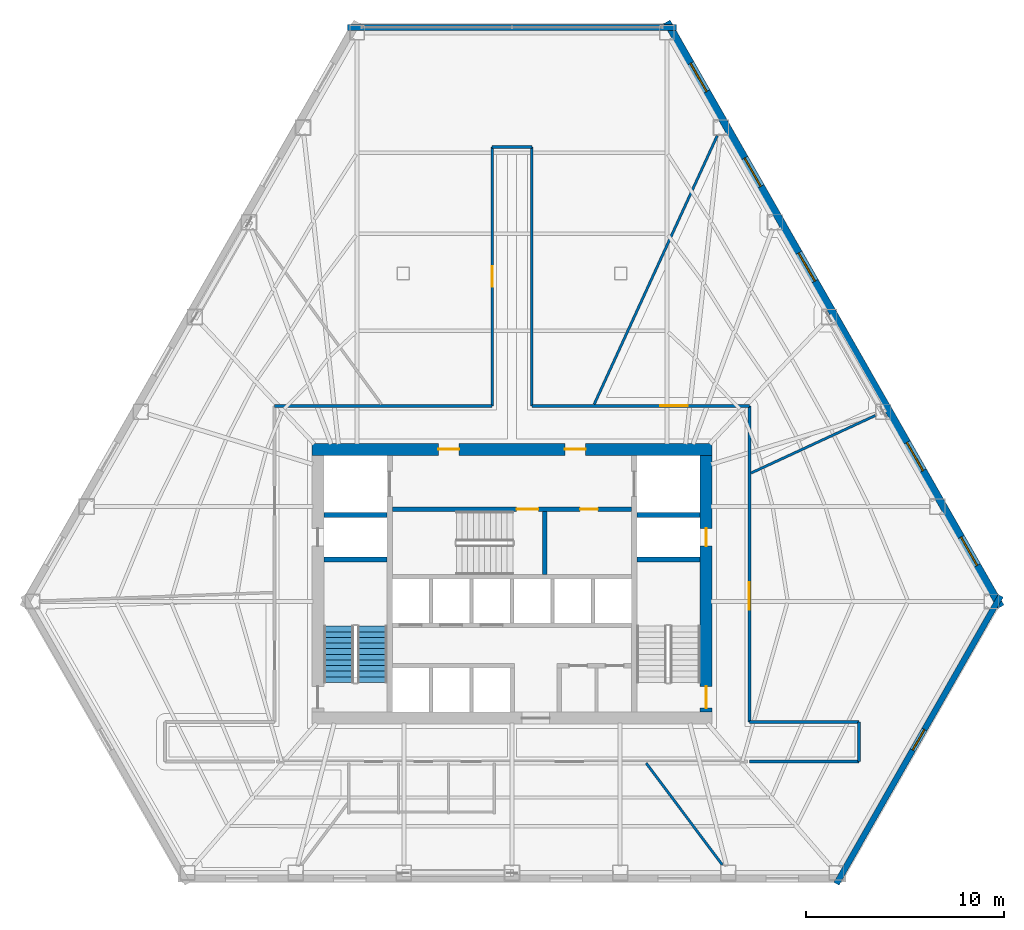
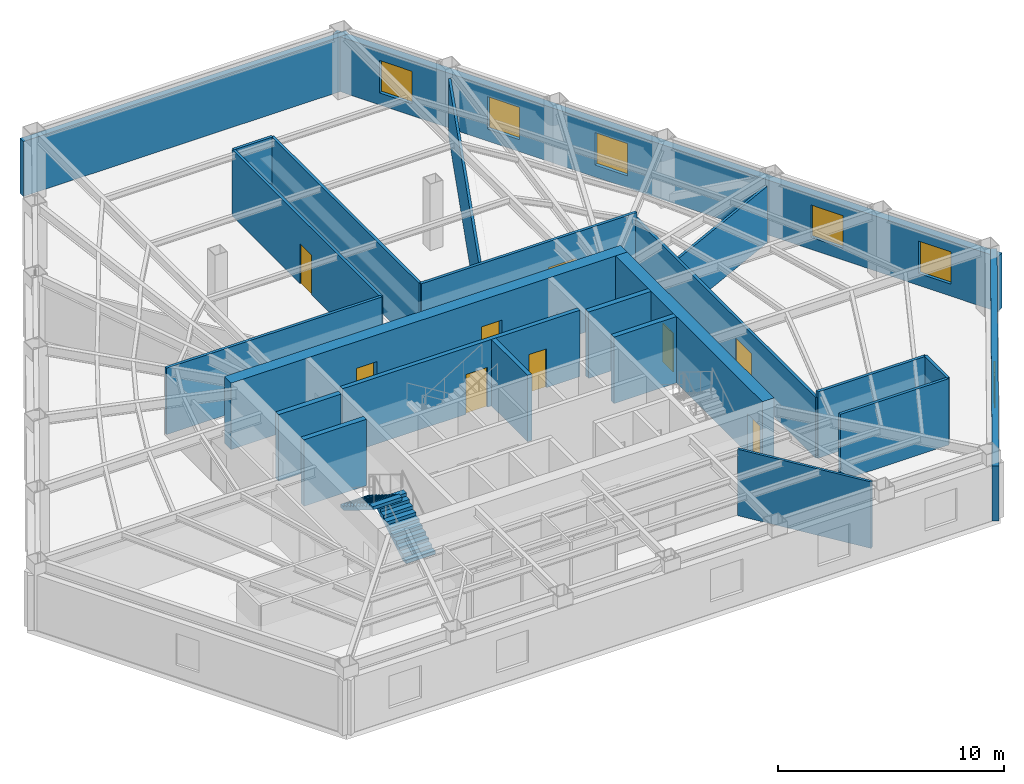
# One storey, part 8 of 12: 23 walls, 9 doors, 6 windows, 2 stair flights, 15 openings, 1 element without a shape of its own.
"""IFC4 building model written with IfcOpenShell, lengths in metres."""

from ifc_helpers import new_model, si_unit, direction, frame, frame_2d, origin, place, context, subcontext, project, spatial, polyline, rectangle, outline, extrude, material, layer, layer_set, type_object, element, fill, aggregate, save


model = new_model("IFC4")

# Units and contexts
model_context = context("Model", 3, precision=1e-05, world=origin(), true_north=direction((0.0, 1.0)))
body_context = subcontext(model_context, "Body", "Model", "MODEL_VIEW")
ifc_project = project(units=[si_unit("LENGTHUNIT", "METRE"), si_unit("AREAUNIT", "SQUARE_METRE"), si_unit("VOLUMEUNIT", "CUBIC_METRE"), si_unit("PLANEANGLEUNIT", "RADIAN"), si_unit("MASSUNIT", "GRAM", prefix="KILO")], contexts=[model_context])

# Site, building, storey
site_placement = place(None, origin())
site = spatial("IfcSite", under=ifc_project, at=site_placement, CompositionType="ELEMENT")
building_placement = place(site_placement, origin())
building = spatial("IfcBuilding", under=site, at=building_placement, Name="Kavelnor Concourse Tower", CompositionType="ELEMENT")
storey_placement = place(building_placement, frame((0.0, 0.0, 21.39990234375)))
storey = spatial("IfcBuildingStorey", under=building, at=storey_placement, Name="L05", CompositionType="ELEMENT", Elevation=21.39990234375)

# Wall, openings, doors
ifc_material_1 = material(Name="Concrete C60/75", Category="concrete")
ifc_layer_1 = layer(ifc_material_1, 0.60009765625, Name="Concrete C60/75")
ifc_layer_set_1 = layer_set([ifc_layer_1], Name="Concrete C60/75")
wall_type_1 = type_object("IfcWallType", Name="WL-CORE-Z1-600", PredefinedType="SOLIDWALL", material=ifc_layer_set_1)
wall_1_placement = place(storey_placement, frame((27.8798828125, 22.89990234375, 0.0), z_axis=(0.0, 0.0, 1.0), x_axis=(1.0, 0.0, 0.0)))
wall_1 = element("IfcWall", 1, at=wall_1_placement, inside=storey, type_object=wall_type_1, Name="L05 Central Core North Shear Wall", PredefinedType="SOLIDWALL", context=body_context, shape_type="SweptSolid", body=[
    extrude(rectangle(XDim=20.240234375, YDim=0.60009765625, at=frame_2d((10.1201171875, 0.0))), origin(), (0.0, 0.0, 1.0), 3.590087890625),
])
opening_1_placement = place(wall_1_placement, frame((6.39501953125, 0.0, 0.0)))
opening_1 = element("IfcOpeningElement", 2, at=opening_1_placement, cuts=wall_1, Name="Opening FD-105", PredefinedType="OPENING", context=body_context, shape_type="SweptSolid", body=[
    extrude(rectangle(XDim=1.050048828125, YDim=2.14990234375, at=frame_2d((0.52490234375, 1.074951171875))), frame((0.0, 0.31005859375, 0.0), z_axis=(0.0, -1.0, 0.0), x_axis=(1.0, 0.0, 0.0)), (0.0, 0.0, 1.0), 0.6201171875),
])
opening_2_placement = place(wall_1_placement, frame((12.794921875, 0.0, 0.0)))
opening_2 = element("IfcOpeningElement", 3, at=opening_2_placement, cuts=wall_1, Name="Opening FD-105", PredefinedType="OPENING", context=body_context, shape_type="SweptSolid", body=[
    extrude(rectangle(XDim=1.050048828125, YDim=2.14990234375, at=frame_2d((0.52490234375, 1.074951171875))), frame((0.0, 0.31005859375, 0.0), z_axis=(0.0, -1.0, 0.0), x_axis=(1.0, 0.0, 0.0)), (0.0, 0.0, 1.0), 0.6201171875),
])
ifc_material_2 = material(Name="Steel Grade 350", Category="steel")
door_type_1 = type_object("IfcDoorType", Name="DR-LOBBY-FIRE-1050", OperationType="NOTDEFINED", PredefinedType="DOOR", material=ifc_material_2)
door_1_placement = place(opening_1_placement, origin())
door_1 = element("IfcDoor", 4, at=door_1_placement, inside=storey, type_object=door_type_1, Name="L05 Emergency Lift Lobby West Door", OperationType="SINGLE_SWING_LEFT", OverallHeight=2.14990234375, OverallWidth=1.050048828125, PredefinedType="DOOR", context=body_context, shape_type="SweptSolid", body=[
    extrude(rectangle(XDim=1.050048828125, YDim=2.14990234375, at=frame_2d((0.52490234375, 1.074951171875))), frame((0.0, 0.02490234375, 0.0), z_axis=(0.0, -1.0, 0.0), x_axis=(1.0, 0.0, 0.0)), (0.0, 0.0, 1.0), 0.050048828125),
])
fill(opening_1, door_1)
door_2_placement = place(opening_2_placement, origin())
door_2 = element("IfcDoor", 5, at=door_2_placement, inside=storey, type_object=door_type_1, Name="L05 Emergency Lift Lobby East Door", OperationType="SINGLE_SWING_RIGHT", OverallHeight=2.14990234375, OverallWidth=1.050048828125, PredefinedType="DOOR", context=body_context, shape_type="SweptSolid", body=[
    extrude(rectangle(XDim=1.050048828125, YDim=2.14990234375, at=frame_2d((0.52490234375, 1.074951171875))), frame((0.0, 0.02490234375, 0.0), z_axis=(0.0, -1.0, 0.0), x_axis=(1.0, 0.0, 0.0)), (0.0, 0.0, 1.0), 0.050048828125),
])
fill(opening_2, door_2)

wall_2_placement = place(storey_placement, frame((47.820068359375, 9.60009765625, 0.0), z_axis=(0.0, 0.0, 1.0), x_axis=(0.0, 1.0, 0.0)))
wall_2 = element("IfcWall", 6, at=wall_2_placement, inside=storey, type_object=wall_type_1, Name="L05 Central Core East Shear Wall", PredefinedType="SOLIDWALL", context=body_context, shape_type="SweptSolid", body=[
    extrude(rectangle(XDim=13.0, YDim=0.60009765625, at=frame_2d((6.5, 0.0))), origin(), (0.0, 0.0, 1.0), 3.590087890625),
])
opening_3_placement = place(wall_2_placement, frame((0.199951171875, 0.0, 0.0)))
opening_3 = element("IfcOpeningElement", 7, at=opening_3_placement, cuts=wall_2, Name="Opening FD-110", PredefinedType="OPENING", context=body_context, shape_type="SweptSolid", body=[
    extrude(rectangle(XDim=1.10009765625, YDim=2.14990234375, at=frame_2d((0.550048828125, 1.074951171875))), frame((0.0, 0.31005859375, 0.0), z_axis=(0.0, -1.0, 0.0), x_axis=(1.0, 0.0, 0.0)), (0.0, 0.0, 1.0), 0.6201171875),
])
opening_4_placement = place(wall_2_placement, frame((8.39990234375, 0.0, 0.0)))
opening_4 = element("IfcOpeningElement", 8, at=opening_4_placement, cuts=wall_2, Name="Opening FD-090", PredefinedType="OPENING", context=body_context, shape_type="SweptSolid", body=[
    extrude(rectangle(XDim=0.89990234375, YDim=2.10009765625, at=frame_2d((0.449951171875, 1.050048828125))), frame((0.0, 0.31005859375, 0.0), z_axis=(0.0, -1.0, 0.0), x_axis=(1.0, 0.0, 0.0)), (0.0, 0.0, 1.0), 0.6201171875),
])
door_type_2 = type_object("IfcDoorType", Name="DR-RISER-FIRE-900", OperationType="NOTDEFINED", PredefinedType="DOOR", material=ifc_material_2)
door_3_placement = place(opening_4_placement, origin())
door_3 = element("IfcDoor", 9, at=door_3_placement, inside=storey, type_object=door_type_2, Name="L05 East Riser Access Door", OperationType="SINGLE_SWING_LEFT", OverallHeight=2.10009765625, OverallWidth=0.89990234375, PredefinedType="DOOR", context=body_context, shape_type="SweptSolid", body=[
    extrude(rectangle(XDim=0.89990234375, YDim=2.10009765625, at=frame_2d((0.449951171875, 1.050048828125))), frame((0.0, 0.02490234375, 0.0), z_axis=(0.0, -1.0, 0.0), x_axis=(1.0, 0.0, 0.0)), (0.0, 0.0, 1.0), 0.050048828125),
])
fill(opening_4, door_3)
door_type_3 = type_object("IfcDoorType", Name="DR-STAIR-FIRE-1100", OperationType="NOTDEFINED", PredefinedType="DOOR", material=ifc_material_2)
door_4_placement = place(opening_3_placement, origin())
door_4 = element("IfcDoor", 10, at=door_4_placement, inside=storey, type_object=door_type_3, Name="L05 Stair ST2 Fire Door", OperationType="SINGLE_SWING_RIGHT", OverallHeight=2.14990234375, OverallWidth=1.10009765625, PredefinedType="DOOR", context=body_context, shape_type="SweptSolid", body=[
    extrude(rectangle(XDim=1.10009765625, YDim=2.14990234375, at=frame_2d((0.550048828125, 1.074951171875))), frame((0.0, 0.02490234375, 0.0), z_axis=(0.0, -1.0, 0.0), x_axis=(1.0, 0.0, 0.0)), (0.0, 0.0, 1.0), 0.050048828125),
])
fill(opening_3, door_4)

# Wall
ifc_material_3 = material(Name="Buff ironspot clay face brick masonry", Category="masonry")
ifc_layer_2 = layer(ifc_material_3, 0.300048828125, Name="Buff ironspot clay face brick masonry")
ifc_layer_set_2 = layer_set([ifc_layer_2], Name="Buff ironspot clay face brick masonry")
wall_type_2 = type_object("IfcWallType", Name="WL-EXT-BUFF-BRICK-FOLD-300", PredefinedType="STANDARD", material=ifc_layer_set_2)
wall_3_placement = place(storey_placement, frame((29.681640625, 44.25732421875, 0.0), z_axis=(0.0, 0.0, 1.0), x_axis=(1.0, 0.0, 0.0)))
element("IfcWall", 11, at=wall_3_placement, inside=storey, type_object=wall_type_2, Name="L05 Exterior Brick Facade Wall E0", PredefinedType="STANDARD", context=body_context, shape_type="SweptSolid", body=[
    extrude(rectangle(XDim=16.63671875, YDim=0.300048828125, at=frame_2d((8.318359375, 0.0))), origin(), (0.0, 0.0, 1.0), 2.97021484375),
])

# Wall, opening, window
wall_4_placement = place(storey_placement, frame((62.73681640625, 15.48388671875, 0.0), z_axis=(0.0, 0.0, 1.0), x_axis=(-0.495706340457, -0.868490198005, 0.0)))
wall_4 = element("IfcWall", 12, at=wall_4_placement, inside=storey, type_object=wall_type_2, Name="L05 Exterior Brick Facade Wall E4", PredefinedType="STANDARD", context=body_context, shape_type="SweptSolid", body=[
    extrude(rectangle(XDim=16.77685546875, YDim=0.300048828125, at=frame_2d((8.388427734375, 0.0))), origin(), (0.0, 0.0, 1.0), 2.97021484375),
])
opening_5_placement = place(wall_4_placement, frame((7.78857421875, 0.0, 0.64990234375)))
opening_5 = element("IfcOpeningElement", 13, at=opening_5_placement, cuts=wall_4, Name="Opening W-05", PredefinedType="OPENING", context=body_context, shape_type="SweptSolid", body=[
    extrude(rectangle(XDim=1.199951171875, YDim=1.699951171875, at=frame_2d((0.60009765625, 0.85009765625))), frame((0.0, 0.16015625, 0.0), z_axis=(0.0, -1.0, 0.0), x_axis=(1.0, 0.0, 0.0)), (0.0, 0.0, 1.0), 0.320068359375),
])
ifc_material_4 = material(Name="Double low-E argon insulated glazing", Category="glass")
window_type_1 = type_object("IfcWindowType", Name="WIN-FOLD-1200", PartitioningType="SINGLE_PANEL", PredefinedType="WINDOW", material=ifc_material_4)
window_1_placement = place(opening_5_placement, origin())
window_1 = element("IfcWindow", 14, at=window_1_placement, inside=storey, type_object=window_type_1, Name="L05 Chamfer-Fold Facet Window C2", OverallHeight=1.699951171875, OverallWidth=1.199951171875, PartitioningType="SINGLE_PANEL", PredefinedType="WINDOW", context=body_context, shape_type="SweptSolid", body=[
    extrude(rectangle(XDim=1.199951171875, YDim=1.699951171875, at=frame_2d((0.60009765625, 0.85009765625))), frame((0.0, 0.030029296875, 0.0), z_axis=(0.0, -1.0, 0.0), x_axis=(1.0, 0.0, 0.0)), (0.0, 0.0, 1.0), 0.06005859375),
])
fill(opening_5, window_1)

# Wall, openings, windows
ifc_material_5 = material(Name="Red-ochre clay face brick masonry", Category="masonry")
ifc_layer_3 = layer(ifc_material_5, 0.3798828125, Name="Red-ochre clay face brick masonry")
ifc_layer_set_3 = layer_set([ifc_layer_3], Name="Red-ochre clay face brick masonry")
wall_type_3 = type_object("IfcWallType", Name="WL-EXT-RED-BRICK-PIER-380", PredefinedType="STANDARD", material=ifc_layer_set_3)
wall_5_placement = place(storey_placement, frame((45.8369140625, 44.537109375, 0.0), z_axis=(0.0, 0.0, 1.0), x_axis=(0.495711630902, -0.868487178367, 0.0)))
wall_5 = element("IfcWall", 15, at=wall_5_placement, inside=storey, type_object=wall_type_3, Name="L05 Exterior Brick Facade Wall E5", PredefinedType="STANDARD", context=body_context, shape_type="SweptSolid", body=[
    extrude(rectangle(XDim=34.09228515625, YDim=0.3798828125, at=frame_2d((17.046142578125, 0.0))), origin(), (0.0, 0.0, 1.0), 2.97021484375),
])
opening_6_placement = place(wall_5_placement, frame((30.031494140625, 0.0, 0.64990234375)))
opening_6 = element("IfcOpeningElement", 16, at=opening_6_placement, cuts=wall_5, Name="Opening W-01", PredefinedType="OPENING", context=body_context, shape_type="SweptSolid", body=[
    extrude(rectangle(XDim=1.64990234375, YDim=1.75, at=frame_2d((0.824951171875, 0.875))), frame((0.0, 0.199951171875, 0.0), z_axis=(0.0, -1.0, 0.0), x_axis=(1.0, 0.0, 0.0)), (0.0, 0.0, 1.0), 0.39990234375),
])
opening_7_placement = place(wall_5_placement, frame((24.50830078125, 0.0, 0.64990234375)))
opening_7 = element("IfcOpeningElement", 17, at=opening_7_placement, cuts=wall_5, Name="Opening W-01", PredefinedType="OPENING", context=body_context, shape_type="SweptSolid", body=[
    extrude(rectangle(XDim=1.64990234375, YDim=1.75, at=frame_2d((0.824951171875, 0.875))), frame((0.0, 0.199951171875, 0.0), z_axis=(0.0, -1.0, 0.0), x_axis=(1.0, 0.0, 0.0)), (0.0, 0.0, 1.0), 0.39990234375),
])
opening_8_placement = place(wall_5_placement, frame((13.4619140625, 0.0, 0.64990234375)))
opening_8 = element("IfcOpeningElement", 18, at=opening_8_placement, cuts=wall_5, Name="Opening W-01", PredefinedType="OPENING", context=body_context, shape_type="SweptSolid", body=[
    extrude(rectangle(XDim=1.64990234375, YDim=1.75, at=frame_2d((0.824951171875, 0.875))), frame((0.0, 0.199951171875, 0.0), z_axis=(0.0, -1.0, 0.0), x_axis=(1.0, 0.0, 0.0)), (0.0, 0.0, 1.0), 0.39990234375),
])
opening_9_placement = place(wall_5_placement, frame((7.938720703125, 0.0, 0.64990234375)))
opening_9 = element("IfcOpeningElement", 19, at=opening_9_placement, cuts=wall_5, Name="Opening W-01", PredefinedType="OPENING", context=body_context, shape_type="SweptSolid", body=[
    extrude(rectangle(XDim=1.64990234375, YDim=1.75, at=frame_2d((0.824951171875, 0.875))), frame((0.0, 0.199951171875, 0.0), z_axis=(0.0, -1.0, 0.0), x_axis=(1.0, 0.0, 0.0)), (0.0, 0.0, 1.0), 0.39990234375),
])
opening_10_placement = place(wall_5_placement, frame((2.415283203125, 0.0, 0.64990234375)))
opening_10 = element("IfcOpeningElement", 20, at=opening_10_placement, cuts=wall_5, Name="Opening W-01", PredefinedType="OPENING", context=body_context, shape_type="SweptSolid", body=[
    extrude(rectangle(XDim=1.64990234375, YDim=1.75, at=frame_2d((0.824951171875, 0.875))), frame((0.0, 0.199951171875, 0.0), z_axis=(0.0, -1.0, 0.0), x_axis=(1.0, 0.0, 0.0)), (0.0, 0.0, 1.0), 0.39990234375),
])
window_type_2 = type_object("IfcWindowType", Name="WIN-PIER-Z1-1800", PartitioningType="SINGLE_PANEL", PredefinedType="WINDOW", material=ifc_material_4)
window_2_placement = place(opening_6_placement, origin())
window_2 = element("IfcWindow", 21, at=window_2_placement, inside=storey, type_object=window_type_2, Name="L05 Deep-Set Brick Pier Window F2-B0", OverallHeight=1.75, OverallWidth=1.64990234375, PartitioningType="SINGLE_PANEL", PredefinedType="WINDOW", context=body_context, shape_type="SweptSolid", body=[
    extrude(rectangle(XDim=1.64990234375, YDim=1.75, at=frame_2d((0.824951171875, 0.875))), frame((0.0, 0.030029296875, 0.0), z_axis=(0.0, -1.0, 0.0), x_axis=(1.0, 0.0, 0.0)), (0.0, 0.0, 1.0), 0.06005859375),
])
fill(opening_6, window_2)
window_3_placement = place(opening_7_placement, origin())
window_3 = element("IfcWindow", 22, at=window_3_placement, inside=storey, type_object=window_type_2, Name="L05 Deep-Set Brick Pier Window F2-B1", OverallHeight=1.75, OverallWidth=1.64990234375, PartitioningType="SINGLE_PANEL", PredefinedType="WINDOW", context=body_context, shape_type="SweptSolid", body=[
    extrude(rectangle(XDim=1.64990234375, YDim=1.75, at=frame_2d((0.824951171875, 0.875))), frame((0.0, 0.030029296875, 0.0), z_axis=(0.0, -1.0, 0.0), x_axis=(1.0, 0.0, 0.0)), (0.0, 0.0, 1.0), 0.06005859375),
])
fill(opening_7, window_3)
window_4_placement = place(opening_8_placement, origin())
window_4 = element("IfcWindow", 23, at=window_4_placement, inside=storey, type_object=window_type_2, Name="L05 Deep-Set Brick Pier Window F2-B3", OverallHeight=1.75, OverallWidth=1.64990234375, PartitioningType="SINGLE_PANEL", PredefinedType="WINDOW", context=body_context, shape_type="SweptSolid", body=[
    extrude(rectangle(XDim=1.64990234375, YDim=1.75, at=frame_2d((0.824951171875, 0.875))), frame((0.0, 0.030029296875, 0.0), z_axis=(0.0, -1.0, 0.0), x_axis=(1.0, 0.0, 0.0)), (0.0, 0.0, 1.0), 0.06005859375),
])
fill(opening_8, window_4)
window_5_placement = place(opening_9_placement, origin())
window_5 = element("IfcWindow", 24, at=window_5_placement, inside=storey, type_object=window_type_2, Name="L05 Deep-Set Brick Pier Window F2-B4", OverallHeight=1.75, OverallWidth=1.64990234375, PartitioningType="SINGLE_PANEL", PredefinedType="WINDOW", context=body_context, shape_type="SweptSolid", body=[
    extrude(rectangle(XDim=1.64990234375, YDim=1.75, at=frame_2d((0.824951171875, 0.875))), frame((0.0, 0.030029296875, 0.0), z_axis=(0.0, -1.0, 0.0), x_axis=(1.0, 0.0, 0.0)), (0.0, 0.0, 1.0), 0.06005859375),
])
fill(opening_9, window_5)
window_6_placement = place(opening_10_placement, origin())
window_6 = element("IfcWindow", 25, at=window_6_placement, inside=storey, type_object=window_type_2, Name="L05 Deep-Set Brick Pier Window F2-B5", OverallHeight=1.75, OverallWidth=1.64990234375, PartitioningType="SINGLE_PANEL", PredefinedType="WINDOW", context=body_context, shape_type="SweptSolid", body=[
    extrude(rectangle(XDim=1.64990234375, YDim=1.75, at=frame_2d((0.824951171875, 0.875))), frame((0.0, 0.030029296875, 0.0), z_axis=(0.0, -1.0, 0.0), x_axis=(1.0, 0.0, 0.0)), (0.0, 0.0, 1.0), 0.06005859375),
])
fill(opening_10, window_6)

# Wall
ifc_material_6 = material(Name="Gypsum plasterboard on light-gauge steel studs", Category="steel")
ifc_layer_4 = layer(ifc_material_6, 0.14501953125, Name="Gypsum plasterboard on light-gauge steel studs")
ifc_layer_set_4 = layer_set([ifc_layer_4], Name="Gypsum plasterboard on light-gauge steel studs")
wall_type_4 = type_object("IfcWallType", Name="WL-INT-CORR-145", PredefinedType="PARTITIONING", material=ifc_layer_set_4)
wall_6_placement = place(storey_placement, frame((25.97998046875, 25.10009765625, 0.0), z_axis=(0.0, 0.0, 1.0), x_axis=(1.0, 0.0, 0.0)))
element("IfcWall", 26, at=wall_6_placement, inside=storey, type_object=wall_type_4, Name="L05 Corridor Wall WL-L05-CR-03", PredefinedType="PARTITIONING", context=body_context, shape_type="SweptSolid", body=[
    extrude(rectangle(XDim=11.02001953125, YDim=0.14501953125, at=frame_2d((5.510009765625, 0.0))), origin(), (0.0, 0.0, 1.0), 3.590087890625),
])

# Wall, opening, door
wall_7_placement = place(storey_placement, frame((37.0, 25.10009765625, 0.0), z_axis=(0.0, 0.0, 1.0), x_axis=(0.0, 1.0, 0.0)))
wall_7 = element("IfcWall", 27, at=wall_7_placement, inside=storey, type_object=wall_type_4, Name="L05 Corridor Wall WL-L05-CR-04", PredefinedType="PARTITIONING", context=body_context, shape_type="SweptSolid", body=[
    extrude(rectangle(XDim=13.099853515625, YDim=0.14501953125, at=frame_2d((6.5498046875, 0.0))), origin(), (0.0, 0.0, 1.0), 3.590087890625),
])
opening_11_placement = place(wall_7_placement, frame((6.0400390625, 0.0, 0.0)))
opening_11 = element("IfcOpeningElement", 28, at=opening_11_placement, cuts=wall_7, Name="Opening MD-102", PredefinedType="OPENING", context=body_context, shape_type="SweptSolid", body=[
    extrude(rectangle(XDim=1.02001953125, YDim=2.14990234375, at=frame_2d((0.510009765625, 1.074951171875))), frame((0.0, 0.08251953125, 0.0), z_axis=(0.0, -1.0, 0.0), x_axis=(1.0, 0.0, 0.0)), (0.0, 0.0, 1.0), 0.1650390625),
])
ifc_material_7 = material(Name="Acoustic glazed timber frame", Category="wood")
door_type_4 = type_object("IfcDoorType", Name="DR-MEETING-1020", OperationType="NOTDEFINED", PredefinedType="DOOR", material=ifc_material_7)
door_5_placement = place(opening_11_placement, origin())
door_5 = element("IfcDoor", 29, at=door_5_placement, inside=storey, type_object=door_type_4, Name="L05 Client Boardroom 02 Door", OperationType="SINGLE_SWING_RIGHT", OverallHeight=2.14990234375, OverallWidth=1.02001953125, PredefinedType="DOOR", context=body_context, shape_type="SweptSolid", body=[
    extrude(rectangle(XDim=1.02001953125, YDim=2.14990234375, at=frame_2d((0.510009765625, 1.074951171875))), frame((0.0, 0.02490234375, 0.0), z_axis=(0.0, -1.0, 0.0), x_axis=(1.0, 0.0, 0.0)), (0.0, 0.0, 1.0), 0.050048828125),
])
fill(opening_11, door_5)

# Walls
wall_8_placement = place(storey_placement, frame((37.0, 38.199951171875, 0.0), z_axis=(0.0, 0.0, 1.0), x_axis=(1.0, 0.0, 0.0)))
element("IfcWall", 30, at=wall_8_placement, inside=storey, type_object=wall_type_4, Name="L05 Corridor Wall WL-L05-CR-05", PredefinedType="PARTITIONING", context=body_context, shape_type="SweptSolid", body=[
    extrude(rectangle(XDim=2.0, YDim=0.14501953125, at=frame_2d((1.0, 0.0))), origin(), (0.0, 0.0, 1.0), 3.590087890625),
])
wall_9_placement = place(storey_placement, frame((39.0, 38.199951171875, 0.0), z_axis=(0.0, 0.0, 1.0), x_axis=(0.0, -1.0, 0.0)))
element("IfcWall", 31, at=wall_9_placement, inside=storey, type_object=wall_type_4, Name="L05 Corridor Wall WL-L05-CR-06", PredefinedType="PARTITIONING", context=body_context, shape_type="SweptSolid", body=[
    extrude(rectangle(XDim=13.099853515625, YDim=0.14501953125, at=frame_2d((6.5498046875, 0.0))), origin(), (0.0, 0.0, 1.0), 3.590087890625),
])

# Wall, opening, door
wall_10_placement = place(storey_placement, frame((39.0, 25.10009765625, 0.0), z_axis=(0.0, 0.0, 1.0), x_axis=(1.0, 0.0, 0.0)))
wall_10 = element("IfcWall", 32, at=wall_10_placement, inside=storey, type_object=wall_type_4, Name="L05 Corridor Wall WL-L05-CR-07", PredefinedType="PARTITIONING", context=body_context, shape_type="SweptSolid", body=[
    extrude(rectangle(XDim=11.02001953125, YDim=0.14501953125, at=frame_2d((5.510009765625, 0.0))), origin(), (0.0, 0.0, 1.0), 3.590087890625),
])
opening_12_placement = place(wall_10_placement, frame((6.5048828125, 0.0, 0.0)))
opening_12 = element("IfcOpeningElement", 33, at=opening_12_placement, cuts=wall_10, Name="Opening SD-140", PredefinedType="OPENING", context=body_context, shape_type="SweptSolid", body=[
    extrude(rectangle(XDim=1.39990234375, YDim=2.199951171875, at=frame_2d((0.699951171875, 1.10009765625))), frame((0.0, 0.08251953125, 0.0), z_axis=(0.0, -1.0, 0.0), x_axis=(1.0, 0.0, 0.0)), (0.0, 0.0, 1.0), 0.1650390625),
])
ifc_material_8 = material(Name="Solid-core hardwood timber", Category="wood")
door_type_5 = type_object("IfcDoorType", Name="DR-SUITE-ENTRY-1400", OperationType="NOTDEFINED", PredefinedType="DOOR", material=ifc_material_8)
door_6_placement = place(opening_12_placement, origin())
door_6 = element("IfcDoor", 34, at=door_6_placement, inside=storey, type_object=door_type_5, Name="L05 Workplace Open Office 01 Door", OperationType="SINGLE_SWING_LEFT", OverallHeight=2.199951171875, OverallWidth=1.39990234375, PredefinedType="DOOR", context=body_context, shape_type="SweptSolid", body=[
    extrude(rectangle(XDim=1.39990234375, YDim=2.199951171875, at=frame_2d((0.699951171875, 1.10009765625))), frame((0.0, 0.02490234375, 0.0), z_axis=(0.0, -1.0, 0.0), x_axis=(1.0, 0.0, 0.0)), (0.0, 0.0, 1.0), 0.050048828125),
])
fill(opening_12, door_6)

wall_11_placement = place(storey_placement, frame((50.02001953125, 25.10009765625, 0.0), z_axis=(0.0, 0.0, 1.0), x_axis=(0.0, -1.0, 0.0)))
wall_11 = element("IfcWall", 35, at=wall_11_placement, inside=storey, type_object=wall_type_4, Name="L05 Corridor Wall WL-L05-CR-08", PredefinedType="PARTITIONING", context=body_context, shape_type="SweptSolid", body=[
    extrude(rectangle(XDim=16.0, YDim=0.14501953125, at=frame_2d((8.0, 0.0))), origin(), (0.0, 0.0, 1.0), 3.278076171875),
])
opening_13_placement = place(wall_11_placement, frame((8.91552734375, 0.0, 0.0)))
opening_13 = element("IfcOpeningElement", 36, at=opening_13_placement, cuts=wall_11, Name="Opening SD-140", PredefinedType="OPENING", context=body_context, shape_type="SweptSolid", body=[
    extrude(rectangle(XDim=1.39990234375, YDim=2.199951171875, at=frame_2d((0.699951171875, 1.10009765625))), frame((0.0, 0.08251953125, 0.0), z_axis=(0.0, -1.0, 0.0), x_axis=(1.0, 0.0, 0.0)), (0.0, 0.0, 1.0), 0.1650390625),
])
door_7_placement = place(opening_13_placement, origin())
door_7 = element("IfcDoor", 37, at=door_7_placement, inside=storey, type_object=door_type_5, Name="L05 Workplace Open Office 06 Door", OperationType="SINGLE_SWING_RIGHT", OverallHeight=2.199951171875, OverallWidth=1.39990234375, PredefinedType="DOOR", context=body_context, shape_type="SweptSolid", body=[
    extrude(rectangle(XDim=1.39990234375, YDim=2.199951171875, at=frame_2d((0.699951171875, 1.10009765625))), frame((0.0, 0.02490234375, 0.0), z_axis=(0.0, -1.0, 0.0), x_axis=(1.0, 0.0, 0.0)), (0.0, 0.0, 1.0), 0.050048828125),
])
fill(opening_13, door_7)

# Walls
wall_12_placement = place(storey_placement, frame((50.02001953125, 9.10009765625, 0.0), z_axis=(0.0, 0.0, 1.0), x_axis=(1.0, 0.0, 0.0)))
element("IfcWall", 38, at=wall_12_placement, inside=storey, type_object=wall_type_4, Name="L05 Corridor Wall WL-L05-CR-09", PredefinedType="PARTITIONING", context=body_context, shape_type="SweptSolid", body=[
    extrude(rectangle(XDim=5.549560546875, YDim=0.14501953125, at=frame_2d((2.77490234375, 0.0))), origin(), (0.0, 0.0, 1.0), 3.590087890625),
])
wall_13_placement = place(storey_placement, frame((55.569580078125, 9.10009765625, 0.0), z_axis=(0.0, 0.0, 1.0), x_axis=(0.0, -1.0, 0.0)))
element("IfcWall", 39, at=wall_13_placement, inside=storey, type_object=wall_type_4, Name="L05 Corridor Wall WL-L05-CR-10", PredefinedType="PARTITIONING", context=body_context, shape_type="SweptSolid", body=[
    extrude(rectangle(XDim=2.0, YDim=0.14501953125, at=frame_2d((1.0, 0.0))), origin(), (0.0, 0.0, 1.0), 3.590087890625),
])
wall_14_placement = place(storey_placement, frame((55.569580078125, 7.10009765625, 0.0), z_axis=(0.0, 0.0, 1.0), x_axis=(-1.0, 0.0, 0.0)))
element("IfcWall", 40, at=wall_14_placement, inside=storey, type_object=wall_type_4, Name="L05 Corridor Wall WL-L05-CR-11", PredefinedType="PARTITIONING", context=body_context, shape_type="SweptSolid", body=[
    extrude(rectangle(XDim=5.549560546875, YDim=0.14501953125, at=frame_2d((2.77490234375, 0.0))), origin(), (0.0, 0.0, 1.0), 3.590087890625),
])
ifc_layer_5 = layer(ifc_material_6, 0.125, Name="Gypsum plasterboard on light-gauge steel studs")
ifc_layer_set_5 = layer_set([ifc_layer_5], Name="Gypsum plasterboard on light-gauge steel studs")
wall_type_5 = type_object("IfcWallType", Name="WL-INT-SUITE-125", PredefinedType="PARTITIONING", material=ifc_layer_set_5)
wall_15_placement = place(storey_placement, frame((50.1005859375, 21.7021484375, 0.0), z_axis=(0.0, 0.0, 1.0), x_axis=(0.907458193586, 0.420142388832, 0.0)))
element("IfcWall", 41, at=wall_15_placement, inside=storey, type_object=wall_type_5, Name="L05 Radial Suite Partition 01", PredefinedType="PARTITIONING", context=body_context, shape_type="SweptSolid", body=[
    extrude(rectangle(XDim=6.923583984375, YDim=0.125, at=frame_2d((3.4619140625, 0.0))), origin(), (0.0, 0.0, 1.0), 3.05712890625),
])
wall_16_placement = place(storey_placement, frame((42.15966796875, 25.180419921875, 0.0), z_axis=(0.0, 0.0, 1.0), x_axis=(0.416471526835, 0.90914875974, 0.0)))
element("IfcWall", 42, at=wall_16_placement, inside=storey, type_object=wall_type_5, Name="L05 Radial Suite Partition 02", PredefinedType="PARTITIONING", context=body_context, shape_type="SweptSolid", body=[
    extrude(rectangle(XDim=14.96142578125, YDim=0.125, at=frame_2d((7.480712890625, 0.0))), origin(), (0.0, 0.0, 1.0), 3.05712890625),
])
wall_17_placement = place(storey_placement, frame((44.792236328125, 7.01953125, 0.0), z_axis=(0.0, 0.0, 1.0), x_axis=(0.598984945208, -0.800760285863, 0.0)))
element("IfcWall", 43, at=wall_17_placement, inside=storey, type_object=wall_type_5, Name="L05 Radial Suite Partition 06", PredefinedType="PARTITIONING", context=body_context, shape_type="SweptSolid", body=[
    extrude(rectangle(XDim=6.4296875, YDim=0.125, at=frame_2d((3.21484375, 0.0))), origin(), (0.0, 0.0, 1.0), 3.590087890625),
])

# Wall, openings, doors
ifc_material_9 = material(Name="Concrete C50/60", Category="concrete")
ifc_layer_6 = layer(ifc_material_9, 0.219970703125, Name="Concrete C50/60")
ifc_layer_set_6 = layer_set([ifc_layer_6], Name="Concrete C50/60")
wall_type_6 = type_object("IfcWallType", Name="WL-SHAFT-220", PredefinedType="SOLIDWALL", material=ifc_layer_set_6)
wall_18_placement = place(storey_placement, frame((31.93994140625, 19.8701171875, 0.0), z_axis=(0.0, 0.0, 1.0), x_axis=(1.0, 0.0, 0.0)))
wall_18 = element("IfcWall", 44, at=wall_18_placement, inside=storey, type_object=wall_type_6, Name="L05 Emergency Lift Lobby South Wall", PredefinedType="SOLIDWALL", context=body_context, shape_type="SweptSolid", body=[
    extrude(rectangle(XDim=12.1201171875, YDim=0.219970703125, at=frame_2d((6.06005859375, 0.0))), origin(), (0.0, 0.0, 1.0), 3.590087890625),
])
opening_14_placement = place(wall_18_placement, frame((6.300048828125, 0.0, 0.0)))
opening_14 = element("IfcOpeningElement", 45, at=opening_14_placement, cuts=wall_18, Name="Opening FD-110", PredefinedType="OPENING", context=body_context, shape_type="SweptSolid", body=[
    extrude(rectangle(XDim=1.10009765625, YDim=2.14990234375, at=frame_2d((0.550048828125, 1.074951171875))), frame((0.0, 0.1201171875, 0.0), z_axis=(0.0, -1.0, 0.0), x_axis=(1.0, 0.0, 0.0)), (0.0, 0.0, 1.0), 0.239990234375),
])
opening_15_placement = place(wall_18_placement, frame((9.510009765625, 0.0, 0.0)))
opening_15 = element("IfcOpeningElement", 46, at=opening_15_placement, cuts=wall_18, Name="Opening FD-090", PredefinedType="OPENING", context=body_context, shape_type="SweptSolid", body=[
    extrude(rectangle(XDim=0.89990234375, YDim=2.10009765625, at=frame_2d((0.449951171875, 1.050048828125))), frame((0.0, 0.1201171875, 0.0), z_axis=(0.0, -1.0, 0.0), x_axis=(1.0, 0.0, 0.0)), (0.0, 0.0, 1.0), 0.239990234375),
])
door_8_placement = place(opening_15_placement, origin())
door_8 = element("IfcDoor", 47, at=door_8_placement, inside=storey, type_object=door_type_2, Name="L05 Electrical Comms Door", OperationType="SINGLE_SWING_LEFT", OverallHeight=2.10009765625, OverallWidth=0.89990234375, PredefinedType="DOOR", context=body_context, shape_type="SweptSolid", body=[
    extrude(rectangle(XDim=0.89990234375, YDim=2.10009765625, at=frame_2d((0.449951171875, 1.050048828125))), frame((0.0, 0.02490234375, 0.0), z_axis=(0.0, -1.0, 0.0), x_axis=(1.0, 0.0, 0.0)), (0.0, 0.0, 1.0), 0.050048828125),
])
fill(opening_15, door_8)
door_9_placement = place(opening_14_placement, origin())
door_9 = element("IfcDoor", 48, at=door_9_placement, inside=storey, type_object=door_type_3, Name="L05 Stair ST3 Fire Door", OperationType="SINGLE_SWING_LEFT", OverallHeight=2.14990234375, OverallWidth=1.10009765625, PredefinedType="DOOR", context=body_context, shape_type="SweptSolid", body=[
    extrude(rectangle(XDim=1.10009765625, YDim=2.14990234375, at=frame_2d((0.550048828125, 1.074951171875))), frame((0.0, 0.02490234375, 0.0), z_axis=(0.0, -1.0, 0.0), x_axis=(1.0, 0.0, 0.0)), (0.0, 0.0, 1.0), 0.050048828125),
])
fill(opening_14, door_9)

# Walls
wall_19_placement = place(storey_placement, frame((39.64990234375, 16.56005859375, 0.0), z_axis=(0.0, 0.0, 1.0), x_axis=(0.0, 1.0, 0.0)))
element("IfcWall", 49, at=wall_19_placement, inside=storey, type_object=wall_type_6, Name="L05 Stair ST3 East Core Wall", PredefinedType="SOLIDWALL", context=body_context, shape_type="SweptSolid", body=[
    extrude(rectangle(XDim=3.199951171875, YDim=0.219970703125, at=frame_2d((1.60009765625, 0.0))), origin(), (0.0, 0.0, 1.0), 3.590087890625),
])
ifc_layer_7 = layer(ifc_material_9, 0.260009765625, Name="Concrete C50/60")
ifc_layer_set_7 = layer_set([ifc_layer_7], Name="Concrete C50/60")
wall_type_7 = type_object("IfcWallType", Name="WL-SHAFT-260", PredefinedType="SHEAR", material=ifc_layer_set_7)
for number, where, z_axis, x_axis, name in (
    (50, (28.47998046875, 17.330078125, 0.0), (0.0, 0.0, 1.0), (1.0, 0.0, 0.0), "L05 Stair ST1 North Shaft Wall"),
    (51, (28.47998046875, 19.570068359375, 0.0), (0.0, 0.0, 1.0), (1.0, 0.0, 0.0), "L05 Emergency Lift FL1 South Shaft Wall"),
    (52, (44.320068359375, 17.330078125, 0.0), (0.0, 0.0, 1.0), (1.0, 0.0, 0.0), "L05 Stair ST2 North Shaft Wall"),
    (53, (44.320068359375, 19.570068359375, 0.0), (0.0, 0.0, 1.0), (1.0, 0.0, 0.0), "L05 Emergency Lift FL2 South Shaft Wall"),
):
    element("IfcWall", number, at=place(storey_placement, frame(where, z_axis=z_axis, x_axis=x_axis)), inside=storey, type_object=wall_type_7, Name=name, PredefinedType="SHEAR", context=body_context, shape_type="SweptSolid", body=[
        extrude(rectangle(XDim=3.199951171875, YDim=0.260009765625, at=frame_2d((1.60009765625, 0.0))), origin(), (0.0, 0.0, 1.0), 3.590087890625),
    ])

# Stair, stair flights
ifc_material_10 = material(Name="Concrete C40/50", Category="concrete")
stair_type = type_object("IfcStairType", Name="STR-CORE-1500", PredefinedType="HALF_TURN_STAIR", material=ifc_material_10)
stair_placement = place(storey_placement, origin())
stair = element("IfcStair", 54, at=stair_placement, inside=storey, type_object=stair_type, Name="L05 ST1", PredefinedType="HALF_TURN_STAIR")
stair_flight_type = type_object("IfcStairFlightType", Name="STR-FLIGHT-1500", PredefinedType="STRAIGHT", material=ifc_material_10)
stair_flight_1_placement = place(storey_placement, frame((30.929931640625, 11.10009765625, 0.0), z_axis=(0.0, 0.0, 1.0), x_axis=(0.0, 1.0, 0.0)))
stair_flight_1 = element("IfcStairFlight", 55, at=stair_flight_1_placement, type_object=stair_flight_type, Name="ST1 flight 1", NumberOfRisers=11, NumberOfTreads=10, PredefinedType="STRAIGHT", RiserHeight=0.175, TreadLength=0.285, context=body_context, shape_type="SweptSolid", body=[
    extrude(outline(polyline([(0.0, 0.0), (0.0, 0.175048828125), (0.284912109375, 0.175048828125), (0.284912109375, 0.35009765625), (0.570068359375, 0.35009765625), (0.570068359375, 0.52490234375), (0.85498046875, 0.52490234375), (0.85498046875, 0.699951171875), (1.139892578125, 0.699951171875), (1.139892578125, 0.875), (1.425048828125, 0.875), (1.425048828125, 1.050048828125), (1.7099609375, 1.050048828125), (1.7099609375, 1.22509765625), (1.9951171875, 1.22509765625), (1.9951171875, 1.39990234375), (2.280029296875, 1.39990234375), (2.280029296875, 1.574951171875), (2.56494140625, 1.574951171875), (2.56494140625, 1.75), (2.85009765625, 1.75), (2.85009765625, 1.925048828125), (2.85009765625, 1.573974609375), (0.286376953125, 0.0), (0.0, 0.0)])), frame((0.0, 0.75, 0.0), z_axis=(0.0, -1.0, 0.0), x_axis=(1.0, 0.0, 0.0)), (0.0, 0.0, 1.0), 1.5),
])
stair_flight_2_placement = place(storey_placement, frame((29.22998046875, 13.949951171875, 1.925048828125), z_axis=(0.0, 0.0, 1.0), x_axis=(0.0, -1.0, 0.0)))
stair_flight_2 = element("IfcStairFlight", 56, at=stair_flight_2_placement, type_object=stair_flight_type, Name="ST1 flight 2", NumberOfRisers=11, NumberOfTreads=10, PredefinedType="STRAIGHT", RiserHeight=0.175, TreadLength=0.285, context=body_context, shape_type="SweptSolid", body=[
    extrude(outline(polyline([(0.0, 0.0), (0.0, 0.175048828125), (0.284912109375, 0.175048828125), (0.284912109375, 0.35009765625), (0.570068359375, 0.35009765625), (0.570068359375, 0.52490234375), (0.85498046875, 0.52490234375), (0.85498046875, 0.699951171875), (1.139892578125, 0.699951171875), (1.139892578125, 0.875), (1.425048828125, 0.875), (1.425048828125, 1.050048828125), (1.7099609375, 1.050048828125), (1.7099609375, 1.22509765625), (1.9951171875, 1.22509765625), (1.9951171875, 1.39990234375), (2.280029296875, 1.39990234375), (2.280029296875, 1.574951171875), (2.56494140625, 1.574951171875), (2.56494140625, 1.75), (2.85009765625, 1.75), (2.85009765625, 1.925048828125), (2.85009765625, 1.573974609375), (0.286376953125, 0.0), (0.0, 0.0)])), frame((0.0, 0.75, 0.0), z_axis=(0.0, -1.0, 0.0), x_axis=(1.0, 0.0, 0.0)), (0.0, 0.0, 1.0), 1.5),
])
aggregate(stair, [stair_flight_1, stair_flight_2])

save(model, "model.ifc")
